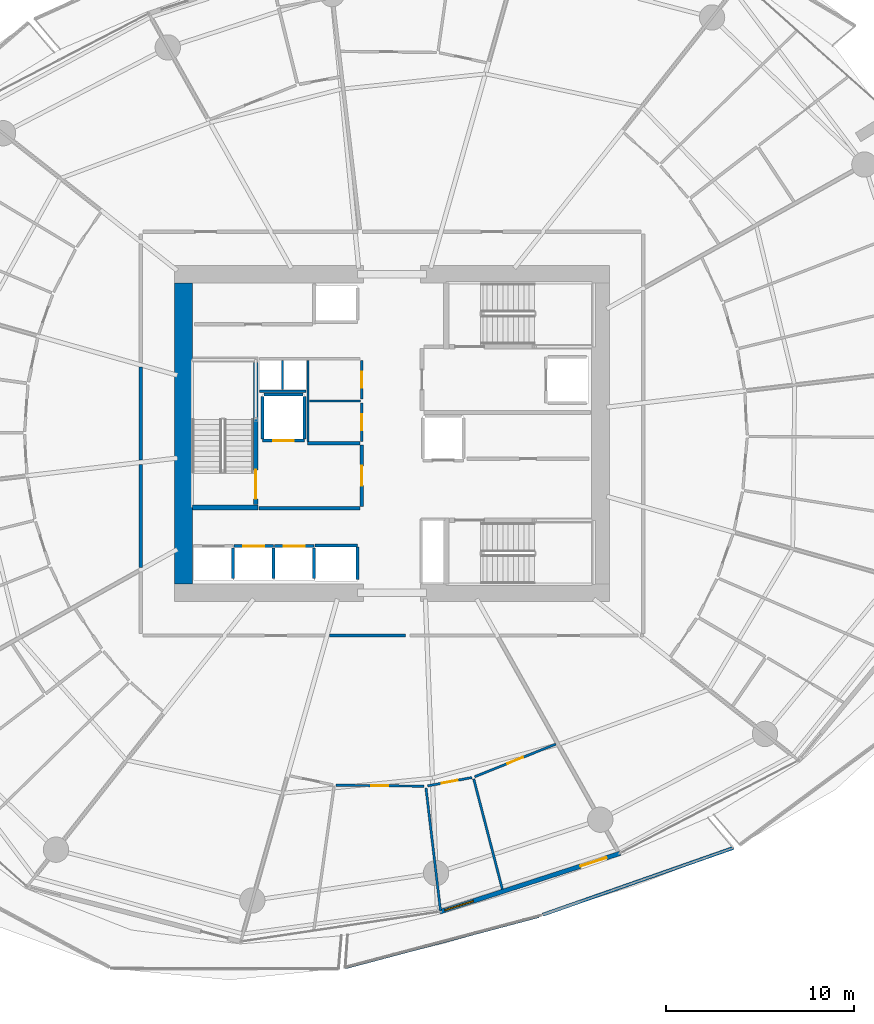
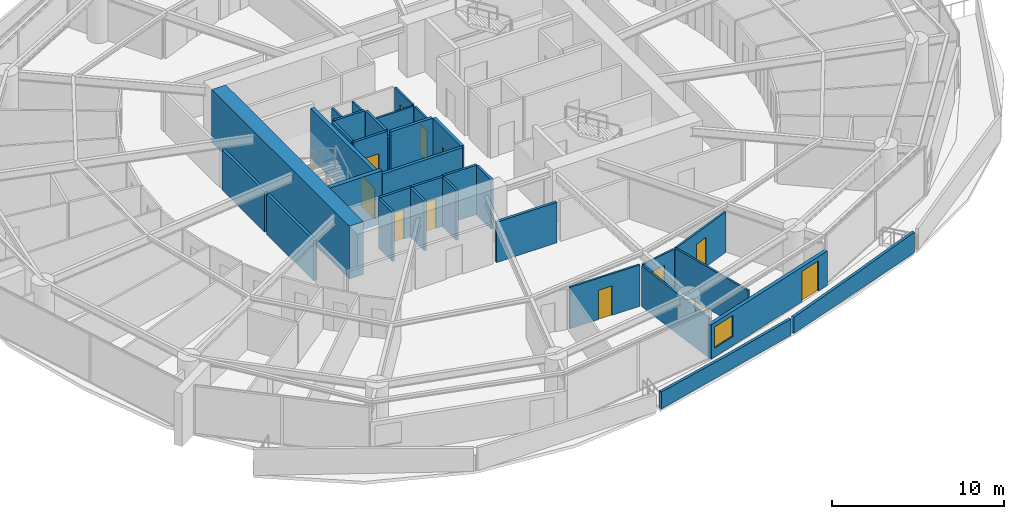
# One storey, part 20 of 31: 34 walls, 11 doors, 1 window, 12 openings.
"""IFC4 building model written with IfcOpenShell, lengths in metres."""

from ifc_helpers import new_model, si_unit, direction, frame, frame_2d, origin, place, context, subcontext, project, spatial, polyline, rectangle, outline, extrude, material, layer, layer_set, type_object, element, fill, save


model = new_model("IFC4")

# Units and contexts
model_context = context("Model", 3, precision=1e-05, world=origin(), true_north=direction((0.0, 1.0)))
body_context = subcontext(model_context, "Body", "Model", "MODEL_VIEW")
ifc_project = project(units=[si_unit("LENGTHUNIT", "METRE"), si_unit("AREAUNIT", "SQUARE_METRE"), si_unit("VOLUMEUNIT", "CUBIC_METRE"), si_unit("PLANEANGLEUNIT", "RADIAN"), si_unit("MASSUNIT", "GRAM", prefix="KILO")], contexts=[model_context])

# Site, building, storey
site_placement = place(None, origin())
site = spatial("IfcSite", under=ifc_project, at=site_placement, CompositionType="ELEMENT")
building_placement = place(site_placement, origin())
building = spatial("IfcBuilding", under=site, at=building_placement, Name="Kazma Halo Residences", CompositionType="ELEMENT")
storey_placement = place(building_placement, frame((0.0, 0.0, 60.14990234375)))
storey = spatial("IfcBuildingStorey", under=building, at=storey_placement, Name="L14", CompositionType="ELEMENT", Elevation=60.14990234375)

# Walls
ifc_material_1 = material(Name="White Concrete C50/60 Balustrade", Category="concrete")
ifc_layer_1 = layer(ifc_material_1, 0.179931640625)
ifc_layer_set_1 = layer_set([ifc_layer_1], Name="White Concrete C50/60 Balustrade")
wall_type_1 = type_object("IfcWallType", Name="WL-BAL-WAVE-180", PredefinedType="PARAPET", material=ifc_layer_set_1)
wall_1_placement = place(storey_placement, frame((45.93896484375, 13.593505859375, 0.0), z_axis=(0.0, 0.0, 1.0), x_axis=(0.966585359961, 0.256344966614, 0.0)))
element("IfcWall", 1, at=wall_1_placement, inside=storey, type_object=wall_type_1, Name="L14 white wave balustrade wall SSE.1", PredefinedType="PARAPET", context=body_context, shape_type="SweptSolid", body=[
    extrude(outline(polyline([(0.0, 0.0), (10.63427734375, 0.0), (10.634521484375, 1.148193359375), (5.3173828125, 1.127197265625), (0.0, 1.22412109375), (0.0, 0.0)])), frame((0.0, 0.08984375, 0.0), z_axis=(0.0, -1.0, 0.0), x_axis=(1.0, 0.0, 0.0)), (0.0, 0.0, 1.0), 0.179931640625),
])
wall_2_placement = place(storey_placement, frame((56.447265625, 16.39013671875, 0.0), z_axis=(0.0, 0.0, 1.0), x_axis=(0.943634553286, 0.330989168772, 0.0)))
element("IfcWall", 2, at=wall_2_placement, inside=storey, type_object=wall_type_1, Name="L14 white wave balustrade wall SSE.2", PredefinedType="PARAPET", context=body_context, shape_type="SweptSolid", body=[
    extrude(outline(polyline([(0.0, 0.0), (10.7587890625, 0.0), (10.7587890625, 1.483154296875), (5.37939453125, 1.2841796875), (0.0, 1.148193359375), (0.0, 0.0)])), frame((0.0, 0.08984375, 0.0), z_axis=(0.0, -1.0, 0.0), x_axis=(1.0, 0.0, 0.0)), (0.0, 0.0, 1.0), 0.179931640625),
])
ifc_material_2 = material(Name="Concrete C80/95", Category="concrete")
ifc_layer_2 = layer(ifc_material_2, 0.949951171875)
ifc_layer_set_2 = layer_set([ifc_layer_2], Name="Concrete C80/95")
wall_type_2 = type_object("IfcWallType", Name="WL-CORE-950", PredefinedType="SHEAR", material=ifc_layer_set_2)
wall_3_placement = place(storey_placement, frame((37.324951171875, 34.0, 0.0), z_axis=(0.0, 0.0, 1.0), x_axis=(0.0, 1.0, 0.0)))
element("IfcWall", 3, at=wall_3_placement, inside=storey, type_object=wall_type_2, Name="L14 central core shear wall W", PredefinedType="SHEAR", context=body_context, shape_type="SweptSolid", body=[
    extrude(rectangle(XDim=16.0, YDim=0.949951171875, at=frame_2d((8.0, 0.0))), origin(), (0.0, 0.0, 1.0), 3.75),
])
ifc_material_3 = material(Name="Concrete C60/75", Category="concrete")
ifc_layer_3 = layer(ifc_material_3, 0.280029296875)
ifc_layer_set_3 = layer_set([ifc_layer_3], Name="Concrete C60/75")
wall_type_3 = type_object("IfcWallType", Name="WL-CORE-ST-280", PredefinedType="SHEAR", material=ifc_layer_set_3)
wall_4_placement = place(storey_placement, frame((37.800048828125, 38.06005859375, 0.0), z_axis=(0.0, 0.0, 1.0), x_axis=(1.0, 0.0, 0.0)))
element("IfcWall", 4, at=wall_4_placement, inside=storey, type_object=wall_type_3, Name="L14 stairwell bearing wall ST01-S", PredefinedType="SHEAR", context=body_context, shape_type="SweptSolid", body=[
    extrude(rectangle(XDim=3.5, YDim=0.280029296875, at=frame_2d((1.75, 0.0))), origin(), (0.0, 0.0, 1.0), 3.75),
])
ifc_material_4 = material(Name="Acoustic Twin-Stud Gypsum")
ifc_layer_4 = layer(ifc_material_4, 0.179931640625)
ifc_layer_set_4 = layer_set([ifc_layer_4], Name="Acoustic Twin-Stud Gypsum")
wall_type_4 = type_object("IfcWallType", Name="WL-DEM-180", PredefinedType="PARTITIONING", material=ifc_layer_set_4)
wall_5_placement = place(storey_placement, frame((35.050048828125, 45.5322265625, 0.0), z_axis=(0.0, 0.0, 1.0), x_axis=(0.0, -1.0, 0.0)))
element("IfcWall", 5, at=wall_5_placement, inside=storey, type_object=wall_type_4, Name="L14 Apartment 1 inner wall 6", PredefinedType="PARTITIONING", context=body_context, shape_type="SweptSolid", body=[
    extrude(rectangle(XDim=4.94482421875, YDim=0.179931640625, at=frame_2d((2.472412109375, 0.0))), origin(), (0.0, 0.0, 1.0), 2.8671875),
])
wall_6_placement = place(storey_placement, frame((35.050048828125, 40.347412109375, 0.0), z_axis=(0.0, 0.0, 1.0), x_axis=(0.0, -1.0, 0.0)))
element("IfcWall", 6, at=wall_6_placement, inside=storey, type_object=wall_type_4, Name="L14 Apartment 1 inner wall 7", PredefinedType="PARTITIONING", context=body_context, shape_type="SweptSolid", body=[
    extrude(rectangle(XDim=5.479736328125, YDim=0.179931640625, at=frame_2d((2.73974609375, 0.0))), origin(), (0.0, 0.0, 1.0), 2.8671875),
])
wall_7_placement = place(storey_placement, frame((45.088134765625, 31.25, 0.0), z_axis=(0.0, 0.0, 1.0), x_axis=(1.0, 0.0, 0.0)))
element("IfcWall", 7, at=wall_7_placement, inside=storey, type_object=wall_type_4, Name="L14 Apartment 2 inner wall 10", PredefinedType="PARTITIONING", context=body_context, shape_type="SweptSolid", body=[
    extrude(rectangle(XDim=4.064208984375, YDim=0.179931640625, at=frame_2d((2.0322265625, 0.0))), origin(), (0.0, 0.0, 1.0), 2.8671875),
])

# Wall, openings, door, window
ifc_material_5 = material(Name="Insulated Pale-Metal Composite Wall")
ifc_layer_5 = layer(ifc_material_5, 0.239990234375)
ifc_layer_set_5 = layer_set([ifc_layer_5], Name="Insulated Pale-Metal Composite Wall")
wall_type_5 = type_object("IfcWallType", Name="WL-EXT-HOST-240", PredefinedType="SOLIDWALL", material=ifc_layer_set_5)
wall_8_placement = place(storey_placement, frame((50.9638671875, 16.54150390625, 0.0), z_axis=(0.0, 0.0, 1.0), x_axis=(0.951054679225, 0.309022648238, 0.0)))
wall_8 = element("IfcWall", 8, at=wall_8_placement, inside=storey, type_object=wall_type_5, Name="L14 exterior terrace-access wall B12", PredefinedType="SOLIDWALL", context=body_context, shape_type="SweptSolid", body=[
    extrude(rectangle(XDim=10.0966796875, YDim=0.239990234375, at=frame_2d((5.04833984375, 0.0))), origin(), (0.0, 0.0, 1.0), 2.4501953125),
])
opening_1_placement = place(wall_8_placement, frame((7.876708984375, 0.0, 0.0)))
opening_1 = element("IfcOpeningElement", 9, at=opening_1_placement, cuts=wall_8, Name="Opening DTR-1600", PredefinedType="OPENING", context=body_context, shape_type="SweptSolid", body=[
    extrude(rectangle(XDim=1.449951171875, YDim=2.14990234375, at=frame_2d((0.72509765625, 1.074951171875))), frame((0.0, 0.1298828125, 0.0), z_axis=(0.0, -1.0, 0.0), x_axis=(1.0, 0.0, 0.0)), (0.0, 0.0, 1.0), 0.260009765625),
])
opening_2_placement = place(wall_8_placement, frame((0.280029296875, 0.0, 0.64990234375)))
opening_2 = element("IfcOpeningElement", 10, at=opening_2_placement, cuts=wall_8, Name="Opening W-1800", PredefinedType="OPENING", context=body_context, shape_type="SweptSolid", body=[
    extrude(rectangle(XDim=1.60009765625, YDim=1.5, at=frame_2d((0.800048828125, 0.75))), frame((0.0, 0.1298828125, 0.0), z_axis=(0.0, -1.0, 0.0), x_axis=(1.0, 0.0, 0.0)), (0.0, 0.0, 1.0), 0.260009765625),
])
ifc_material_6 = material(Name="Aluminium AW-6063 T6 Double-Glazed Terrace Door", Category="aluminium")
door_type_1 = type_object("IfcDoorType", Name="DR-EXT-TERR-1600", OperationType="NOTDEFINED", PredefinedType="DOOR", material=ifc_material_6)
door_1_placement = place(opening_1_placement, origin())
door_1 = element("IfcDoor", 11, at=door_1_placement, inside=storey, type_object=door_type_1, Name="L14 B12 balcony terrace door", OperationType="DOUBLE_DOOR_SLIDING", OverallHeight=2.14990234375, OverallWidth=1.449951171875, PredefinedType="DOOR", context=body_context, shape_type="SweptSolid", body=[
    extrude(rectangle(XDim=1.449951171875, YDim=2.14990234375, at=frame_2d((0.72509765625, 1.074951171875))), frame((0.0, 0.02490234375, 0.0), z_axis=(0.0, -1.0, 0.0), x_axis=(1.0, 0.0, 0.0)), (0.0, 0.0, 1.0), 0.050048828125),
])
fill(opening_1, door_1)
ifc_material_7 = material(Name="Clear Triple-Silver Low-E Glass in Aluminium AW-6063 T6 Frame", Category="aluminium")
window_type = type_object("IfcWindowType", Name="WIN-RES-1800", PartitioningType="DOUBLE_PANEL_VERTICAL", PredefinedType="WINDOW", material=ifc_material_7)
window_placement = place(opening_2_placement, origin())
window = element("IfcWindow", 12, at=window_placement, inside=storey, type_object=window_type, Name="L14 B12 apartment window", OverallHeight=1.5, OverallWidth=1.60009765625, PartitioningType="SINGLE_PANEL", PredefinedType="WINDOW", context=body_context, shape_type="SweptSolid", body=[
    extrude(rectangle(XDim=1.60009765625, YDim=1.5, at=frame_2d((0.800048828125, 0.75))), frame((0.0, 0.030029296875, 0.0), z_axis=(0.0, -1.0, 0.0), x_axis=(1.0, 0.0, 0.0)), (0.0, 0.0, 1.0), 0.06005859375),
])
fill(opening_2, window)

# Wall
ifc_material_8 = material(Name="Fire-Rated Blockwork Masonry", Category="masonry")
ifc_layer_6 = layer(ifc_material_8, 0.199951171875)
ifc_layer_set_6 = layer_set([ifc_layer_6], Name="Fire-Rated Blockwork Masonry")
wall_type_6 = type_object("IfcWallType", Name="WL-FLB-200", PredefinedType="PARTITIONING", material=ifc_layer_set_6)
wall_9_placement = place(storey_placement, frame((39.97509765625, 34.294921875, 0.0), z_axis=(0.0, 0.0, 1.0), x_axis=(0.0, 1.0, 0.0)))
element("IfcWall", 13, at=wall_9_placement, inside=storey, type_object=wall_type_6, Name="L14 lift shaft PL-01 side wall E", PredefinedType="PARTITIONING", context=body_context, shape_type="SweptSolid", body=[
    extrude(rectangle(XDim=1.610107421875, YDim=0.159912109375, at=frame_2d((0.80517578125, 0.0))), origin(), (0.0, 0.0, 1.0), 3.5),
])

# Wall, opening, door
wall_10_placement = place(storey_placement, frame((40.014892578125, 36.0048828125, 0.0), z_axis=(0.0, 0.0, 1.0), x_axis=(1.0, 0.0, 0.0)))
wall_10 = element("IfcWall", 14, at=wall_10_placement, inside=storey, type_object=wall_type_6, Name="L14 lift shaft PL-02 front wall", PredefinedType="PARTITIONING", context=body_context, shape_type="SweptSolid", body=[
    extrude(rectangle(XDim=2.110107421875, YDim=0.159912109375, at=frame_2d((1.05517578125, 0.0))), origin(), (0.0, 0.0, 1.0), 3.5),
])
opening_3_placement = place(wall_10_placement, frame((0.5048828125, 0.0, 0.0)))
opening_3 = element("IfcOpeningElement", 15, at=opening_3_placement, cuts=wall_10, Name="Opening LD-PL-02", PredefinedType="OPENING", context=body_context, shape_type="SweptSolid", body=[
    extrude(rectangle(XDim=1.10009765625, YDim=2.10009765625, at=frame_2d((0.550048828125, 1.050048828125))), frame((0.0, 0.08984375, 0.0), z_axis=(0.0, -1.0, 0.0), x_axis=(1.0, 0.0, 0.0)), (0.0, 0.0, 1.0), 0.179931640625),
])
ifc_material_9 = material(Name="Stainless Steel Fire-Rated", Category="steel")
door_type_2 = type_object("IfcDoorType", Name="DR-LIFT-SLD-1100", OperationType="DOUBLE_DOOR_SLIDING", PredefinedType="DOOR", material=ifc_material_9)
door_2_placement = place(opening_3_placement, origin())
door_2 = element("IfcDoor", 16, at=door_2_placement, inside=storey, type_object=door_type_2, Name="L14 lift PL-02 sliding landing door", OperationType="DOUBLE_DOOR_SLIDING", OverallHeight=2.10009765625, OverallWidth=1.10009765625, PredefinedType="DOOR", context=body_context, shape_type="SweptSolid", body=[
    extrude(rectangle(XDim=1.10009765625, YDim=2.10009765625, at=frame_2d((0.550048828125, 1.050048828125))), frame((0.0, 0.02490234375, 0.0), z_axis=(0.0, -1.0, 0.0), x_axis=(1.0, 0.0, 0.0)), (0.0, 0.0, 1.0), 0.050048828125),
])
fill(opening_3, door_2)

# Wall
wall_11_placement = place(storey_placement, frame((42.125, 34.294921875, 0.0), z_axis=(0.0, 0.0, 1.0), x_axis=(0.0, 1.0, 0.0)))
element("IfcWall", 17, at=wall_11_placement, inside=storey, type_object=wall_type_6, Name="L14 lift shaft PL-02 side wall E", PredefinedType="PARTITIONING", context=body_context, shape_type="SweptSolid", body=[
    extrude(rectangle(XDim=1.610107421875, YDim=0.159912109375, at=frame_2d((0.80517578125, 0.0))), origin(), (0.0, 0.0, 1.0), 3.5),
])

# Wall, opening, door
wall_12_placement = place(storey_placement, frame((42.1650390625, 36.0048828125, 0.0), z_axis=(0.0, 0.0, 1.0), x_axis=(1.0, 0.0, 0.0)))
wall_12 = element("IfcWall", 18, at=wall_12_placement, inside=storey, type_object=wall_type_6, Name="L14 lift shaft PL-03 front wall", PredefinedType="PARTITIONING", context=body_context, shape_type="SweptSolid", body=[
    extrude(rectangle(XDim=2.10986328125, YDim=0.159912109375, at=frame_2d((1.054931640625, 0.0))), origin(), (0.0, 0.0, 1.0), 3.5),
])
opening_4_placement = place(wall_12_placement, frame((0.5048828125, 0.0, 0.0)))
opening_4 = element("IfcOpeningElement", 19, at=opening_4_placement, cuts=wall_12, Name="Opening LD-PL-03", PredefinedType="OPENING", context=body_context, shape_type="SweptSolid", body=[
    extrude(rectangle(XDim=1.10009765625, YDim=2.10009765625, at=frame_2d((0.550048828125, 1.050048828125))), frame((0.0, 0.08984375, 0.0), z_axis=(0.0, -1.0, 0.0), x_axis=(1.0, 0.0, 0.0)), (0.0, 0.0, 1.0), 0.179931640625),
])
door_3_placement = place(opening_4_placement, origin())
door_3 = element("IfcDoor", 20, at=door_3_placement, inside=storey, type_object=door_type_2, Name="L14 lift PL-03 sliding landing door", OperationType="DOUBLE_DOOR_SLIDING", OverallHeight=2.10009765625, OverallWidth=1.10009765625, PredefinedType="DOOR", context=body_context, shape_type="SweptSolid", body=[
    extrude(rectangle(XDim=1.10009765625, YDim=2.10009765625, at=frame_2d((0.550048828125, 1.050048828125))), frame((0.0, 0.02490234375, 0.0), z_axis=(0.0, -1.0, 0.0), x_axis=(1.0, 0.0, 0.0)), (0.0, 0.0, 1.0), 0.050048828125),
])
fill(opening_4, door_3)

# Walls
wall_13_placement = place(storey_placement, frame((44.27490234375, 34.294921875, 0.0), z_axis=(0.0, 0.0, 1.0), x_axis=(0.0, 1.0, 0.0)))
element("IfcWall", 21, at=wall_13_placement, inside=storey, type_object=wall_type_6, Name="L14 lift shaft PL-03 side wall E", PredefinedType="PARTITIONING", context=body_context, shape_type="SweptSolid", body=[
    extrude(rectangle(XDim=1.610107421875, YDim=0.159912109375, at=frame_2d((0.80517578125, 0.0))), origin(), (0.0, 0.0, 1.0), 3.5),
])
wall_14_placement = place(storey_placement, frame((44.320068359375, 36.054931640625, 0.0), z_axis=(0.0, 0.0, 1.0), x_axis=(1.0, 0.0, 0.0)))
element("IfcWall", 22, at=wall_14_placement, inside=storey, type_object=wall_type_6, Name="L14 lift shaft PX-02 front wall", PredefinedType="PARTITIONING", context=body_context, shape_type="SweptSolid", body=[
    extrude(rectangle(XDim=2.260009765625, YDim=0.159912109375, at=frame_2d((1.1298828125, 0.0))), origin(), (0.0, 0.0, 1.0), 3.5),
])
wall_15_placement = place(storey_placement, frame((46.580078125, 34.2451171875, 0.0), z_axis=(0.0, 0.0, 1.0), x_axis=(0.0, 1.0, 0.0)))
element("IfcWall", 23, at=wall_15_placement, inside=storey, type_object=wall_type_6, Name="L14 lift shaft PX-02 side wall E", PredefinedType="PARTITIONING", context=body_context, shape_type="SweptSolid", body=[
    extrude(rectangle(XDim=1.7099609375, YDim=0.159912109375, at=frame_2d((0.85498046875, 0.0))), origin(), (0.0, 0.0, 1.0), 3.5),
])

# Wall, opening, door
wall_16_placement = place(storey_placement, frame((43.780029296875, 41.6201171875, 0.0), z_axis=(0.0, 0.0, 1.0), x_axis=(-1.0, 0.0, 0.0)))
wall_16 = element("IfcWall", 24, at=wall_16_placement, inside=storey, type_object=wall_type_6, Name="L14 lift shaft FL-01 front wall", PredefinedType="PARTITIONING", context=body_context, shape_type="SweptSolid", body=[
    extrude(rectangle(XDim=2.260009765625, YDim=0.159912109375, at=frame_2d((1.1298828125, 0.0))), origin(), (0.0, 0.0, 1.0), 3.5),
])
opening_5_placement = place(wall_16_placement, frame((0.580078125, 0.0, 0.0)))
opening_5 = element("IfcOpeningElement", 25, at=opening_5_placement, cuts=wall_16, Name="Opening LD-FL-01", PredefinedType="OPENING", context=body_context, shape_type="SweptSolid", body=[
    extrude(rectangle(XDim=1.10009765625, YDim=2.10009765625, at=frame_2d((0.550048828125, 1.050048828125))), frame((0.0, 0.08984375, 0.0), z_axis=(0.0, -1.0, 0.0), x_axis=(1.0, 0.0, 0.0)), (0.0, 0.0, 1.0), 0.179931640625),
])
door_4_placement = place(opening_5_placement, origin())
door_4 = element("IfcDoor", 26, at=door_4_placement, inside=storey, type_object=door_type_2, Name="L14 lift FL-01 sliding landing door", OperationType="DOUBLE_DOOR_SLIDING", OverallHeight=2.10009765625, OverallWidth=1.10009765625, PredefinedType="DOOR", context=body_context, shape_type="SweptSolid", body=[
    extrude(rectangle(XDim=1.10009765625, YDim=2.10009765625, at=frame_2d((0.550048828125, 1.050048828125))), frame((0.0, 0.02490234375, 0.0), z_axis=(0.0, -1.0, 0.0), x_axis=(1.0, 0.0, 0.0)), (0.0, 0.0, 1.0), 0.050048828125),
])
fill(opening_5, door_4)

# Walls
for number, where, z_axis, x_axis, name in (
    (27, (43.780029296875, 41.719970703125, 0.0), (0.0, 0.0, 1.0), (0.0, 1.0, 0.0), "L14 lift shaft FL-01 side wall E"),
    (28, (41.52001953125, 41.719970703125, 0.0), (0.0, 0.0, 1.0), (0.0, 1.0, 0.0), "L14 lift shaft FL-01 side wall W"),
):
    element("IfcWall", number, at=place(storey_placement, frame(where, z_axis=z_axis, x_axis=x_axis)), inside=storey, type_object=wall_type_6, Name=name, PredefinedType="PARTITIONING", context=body_context, shape_type="SweptSolid", body=[
        extrude(rectangle(XDim=2.260009765625, YDim=0.159912109375, at=frame_2d((1.1298828125, 0.0))), origin(), (0.0, 0.0, 1.0), 3.5),
    ])
wall_17_placement = place(storey_placement, frame((41.6201171875, 44.080078125, 0.0), z_axis=(0.0, 0.0, 1.0), x_axis=(1.0, 0.0, 0.0)))
element("IfcWall", 29, at=wall_17_placement, inside=storey, type_object=wall_type_6, Name="L14 lift shaft FL-01 side wall N", PredefinedType="PARTITIONING", context=body_context, shape_type="SweptSolid", body=[
    extrude(rectangle(XDim=2.059814453125, YDim=0.159912109375, at=frame_2d((1.02978515625, 0.0))), origin(), (0.0, 0.0, 1.0), 3.5),
])
wall_18_placement = place(storey_placement, frame((41.35009765625, 38.02001953125, 0.0), z_axis=(0.0, 0.0, 1.0), x_axis=(1.0, 0.0, 0.0)))
element("IfcWall", 30, at=wall_18_placement, inside=storey, type_object=wall_type_6, Name="L14 west firefighting lobby south smoke wall", PredefinedType="PARTITIONING", context=body_context, shape_type="SweptSolid", body=[
    extrude(rectangle(XDim=5.369873046875, YDim=0.199951171875, at=frame_2d((2.68505859375, 0.0))), origin(), (0.0, 0.0, 1.0), 3.5),
])
wall_19_placement = place(storey_placement, frame((43.919921875, 41.47998046875, 0.0), z_axis=(0.0, 0.0, 1.0), x_axis=(1.0, 0.0, 0.0)))
element("IfcWall", 31, at=wall_19_placement, inside=storey, type_object=wall_type_6, Name="L14 west firefighting lobby north smoke wall", PredefinedType="PARTITIONING", context=body_context, shape_type="SweptSolid", body=[
    extrude(rectangle(XDim=2.800048828125, YDim=0.199951171875, at=frame_2d((1.39990234375, 0.0))), origin(), (0.0, 0.0, 1.0), 3.5),
])

# Wall, opening, door
wall_20_placement = place(storey_placement, frame((46.820068359375, 38.1201171875, 0.0), z_axis=(0.0, 0.0, 1.0), x_axis=(0.0, 1.0, 0.0)))
wall_20 = element("IfcWall", 32, at=wall_20_placement, inside=storey, type_object=wall_type_6, Name="L14 west firefighting lobby smoke wall", PredefinedType="PARTITIONING", context=body_context, shape_type="SweptSolid", body=[
    extrude(rectangle(XDim=3.259765625, YDim=0.199951171875, at=frame_2d((1.6298828125, 0.0))), origin(), (0.0, 0.0, 1.0), 3.5),
])
opening_6_placement = place(wall_20_placement, frame((1.10498046875, 0.0, 0.0)))
opening_6 = element("IfcOpeningElement", 33, at=opening_6_placement, cuts=wall_20, Name="Opening D-FLW", PredefinedType="OPENING", context=body_context, shape_type="SweptSolid", body=[
    extrude(rectangle(XDim=1.050048828125, YDim=2.10009765625, at=frame_2d((0.52490234375, 1.050048828125))), frame((0.0, 0.10986328125, 0.0), z_axis=(0.0, -1.0, 0.0), x_axis=(1.0, 0.0, 0.0)), (0.0, 0.0, 1.0), 0.219970703125),
])
ifc_material_10 = material(Name="Fire-Rated Steel Leaf", Category="steel")
door_type_3 = type_object("IfcDoorType", Name="DR-FD90-1050", OperationType="NOTDEFINED", PredefinedType="DOOR", material=ifc_material_10)
door_5_placement = place(opening_6_placement, origin())
door_5 = element("IfcDoor", 34, at=door_5_placement, inside=storey, type_object=door_type_3, Name="L14 west firefighting lobby smoke door", OperationType="SINGLE_SWING_LEFT", OverallHeight=2.10009765625, OverallWidth=1.050048828125, PredefinedType="DOOR", context=body_context, shape_type="SweptSolid", body=[
    extrude(rectangle(XDim=1.050048828125, YDim=2.10009765625, at=frame_2d((0.52490234375, 1.050048828125))), frame((0.0, 0.02490234375, 0.0), z_axis=(0.0, -1.0, 0.0), x_axis=(1.0, 0.0, 0.0)), (0.0, 0.0, 1.0), 0.050048828125),
])
fill(opening_6, door_5)

# Walls
ifc_material_11 = material(Name="Gypsum Plasterboard Partition")
ifc_layer_7 = layer(ifc_material_11, 0.125)
ifc_layer_set_7 = layer_set([ifc_layer_7], Name="Gypsum Plasterboard Partition")
wall_type_7 = type_object("IfcWallType", Name="WL-PART-125", PredefinedType="PARTITIONING", material=ifc_layer_set_7)
wall_21_placement = place(storey_placement, frame((41.360107421875, 44.260009765625, 0.0), z_axis=(0.0, 0.0, 1.0), x_axis=(1.0, 0.0, 0.0)))
element("IfcWall", 35, at=wall_21_placement, inside=storey, type_object=wall_type_7, Name="L14 core riser south wall", PredefinedType="PARTITIONING", context=body_context, shape_type="SweptSolid", body=[
    extrude(rectangle(XDim=2.5, YDim=0.125, at=frame_2d((1.25, 0.0))), origin(), (0.0, 0.0, 1.0), 2.940185546875),
])
wall_22_placement = place(storey_placement, frame((42.60009765625, 44.35009765625, 0.0), z_axis=(0.0, 0.0, 1.0), x_axis=(0.0, 1.0, 0.0)))
element("IfcWall", 36, at=wall_22_placement, inside=storey, type_object=wall_type_7, Name="L14 core riser divider wall", PredefinedType="PARTITIONING", context=body_context, shape_type="SweptSolid", body=[
    extrude(rectangle(XDim=1.5498046875, YDim=0.125, at=frame_2d((0.77490234375, 0.0))), origin(), (0.0, 0.0, 1.0), 2.940185546875),
])
wall_23_placement = place(storey_placement, frame((43.949951171875, 41.580078125, 0.0), z_axis=(0.0, 0.0, 1.0), x_axis=(0.0, 1.0, 0.0)))
element("IfcWall", 37, at=wall_23_placement, inside=storey, type_object=wall_type_7, Name="L14 core service west wall", PredefinedType="PARTITIONING", context=body_context, shape_type="SweptSolid", body=[
    extrude(rectangle(XDim=4.31982421875, YDim=0.125, at=frame_2d((2.159912109375, 0.0))), origin(), (0.0, 0.0, 1.0), 2.940185546875),
])
wall_24_placement = place(storey_placement, frame((44.030029296875, 43.72998046875, 0.0), z_axis=(0.0, 0.0, 1.0), x_axis=(1.0, 0.0, 0.0)))
element("IfcWall", 38, at=wall_24_placement, inside=storey, type_object=wall_type_7, Name="L14 switch/IDF divider", PredefinedType="PARTITIONING", context=body_context, shape_type="SweptSolid", body=[
    extrude(rectangle(XDim=2.7099609375, YDim=0.125, at=frame_2d((1.35498046875, 0.0))), origin(), (0.0, 0.0, 1.0), 2.940185546875),
])

# Wall, opening, door
wall_25_placement = place(storey_placement, frame((46.820068359375, 41.580078125, 0.0), z_axis=(0.0, 0.0, 1.0), x_axis=(0.0, 1.0, 0.0)))
wall_25 = element("IfcWall", 39, at=wall_25_placement, inside=storey, type_object=wall_type_7, Name="L14 electrical switch room east wall", PredefinedType="PARTITIONING", context=body_context, shape_type="SweptSolid", body=[
    extrude(rectangle(XDim=2.0498046875, YDim=0.125, at=frame_2d((1.02490234375, 0.0))), origin(), (0.0, 0.0, 1.0), 2.940185546875),
])
opening_7_placement = place(wall_25_placement, frame((0.60009765625, 0.0, 0.0)))
opening_7 = element("IfcOpeningElement", 40, at=opening_7_placement, cuts=wall_25, Name="Opening DS-850", PredefinedType="OPENING", context=body_context, shape_type="SweptSolid", body=[
    extrude(rectangle(XDim=0.85009765625, YDim=2.06005859375, at=frame_2d((0.425048828125, 1.030029296875))), frame((0.0, 0.072509765625, 0.0), z_axis=(0.0, -1.0, 0.0), x_axis=(1.0, 0.0, 0.0)), (0.0, 0.0, 1.0), 0.14501953125),
])
ifc_material_12 = material(Name="Painted Steel Access Leaf", Category="steel")
door_type_4 = type_object("IfcDoorType", Name="DR-SVC-850", OperationType="NOTDEFINED", PredefinedType="DOOR", material=ifc_material_12)
door_6_placement = place(opening_7_placement, origin())
door_6 = element("IfcDoor", 41, at=door_6_placement, inside=storey, type_object=door_type_4, Name="L14 electrical switch room door", OperationType="SINGLE_SWING_LEFT", OverallHeight=2.06005859375, OverallWidth=0.85009765625, PredefinedType="DOOR", context=body_context, shape_type="SweptSolid", body=[
    extrude(rectangle(XDim=0.85009765625, YDim=2.06005859375, at=frame_2d((0.425048828125, 1.030029296875))), frame((0.0, 0.02490234375, 0.0), z_axis=(0.0, -1.0, 0.0), x_axis=(1.0, 0.0, 0.0)), (0.0, 0.0, 1.0), 0.050048828125),
])
fill(opening_7, door_6)

wall_26_placement = place(storey_placement, frame((46.820068359375, 43.830078125, 0.0), z_axis=(0.0, 0.0, 1.0), x_axis=(0.0, 1.0, 0.0)))
wall_26 = element("IfcWall", 42, at=wall_26_placement, inside=storey, type_object=wall_type_7, Name="L14 telecom IDF room east wall", PredefinedType="PARTITIONING", context=body_context, shape_type="SweptSolid", body=[
    extrude(rectangle(XDim=2.0498046875, YDim=0.125, at=frame_2d((1.02490234375, 0.0))), origin(), (0.0, 0.0, 1.0), 2.940185546875),
])
opening_8_placement = place(wall_26_placement, frame((0.60009765625, 0.0, 0.0)))
opening_8 = element("IfcOpeningElement", 43, at=opening_8_placement, cuts=wall_26, Name="Opening DS-850", PredefinedType="OPENING", context=body_context, shape_type="SweptSolid", body=[
    extrude(rectangle(XDim=0.85009765625, YDim=2.06005859375, at=frame_2d((0.425048828125, 1.030029296875))), frame((0.0, 0.072509765625, 0.0), z_axis=(0.0, -1.0, 0.0), x_axis=(1.0, 0.0, 0.0)), (0.0, 0.0, 1.0), 0.14501953125),
])
door_7_placement = place(opening_8_placement, origin())
door_7 = element("IfcDoor", 44, at=door_7_placement, inside=storey, type_object=door_type_4, Name="L14 telecom IDF room door", OperationType="SINGLE_SWING_RIGHT", OverallHeight=2.06005859375, OverallWidth=0.85009765625, PredefinedType="DOOR", context=body_context, shape_type="SweptSolid", body=[
    extrude(rectangle(XDim=0.85009765625, YDim=2.06005859375, at=frame_2d((0.425048828125, 1.030029296875))), frame((0.0, 0.02490234375, 0.0), z_axis=(0.0, -1.0, 0.0), x_axis=(1.0, 0.0, 0.0)), (0.0, 0.0, 1.0), 0.050048828125),
])
fill(opening_8, door_7)

wall_27_placement = place(storey_placement, frame((45.431640625, 23.28564453125, 0.0), z_axis=(0.0, 0.0, 1.0), x_axis=(0.999935022773, -0.011399571577, 0.0)))
wall_27 = element("IfcWall", 45, at=wall_27_placement, inside=storey, type_object=wall_type_7, Name="L14 Apartment 2 West Master Bedroom hall wall", PredefinedType="PARTITIONING", context=body_context, shape_type="SweptSolid", body=[
    extrude(rectangle(XDim=4.690185546875, YDim=0.125, at=frame_2d((2.34521484375, 0.0))), origin(), (0.0, 0.0, 1.0), 2.940185546875),
])
opening_9_placement = place(wall_27_placement, frame((1.89501953125, 0.0, 0.0)))
opening_9 = element("IfcOpeningElement", 46, at=opening_9_placement, cuts=wall_27, Name="Opening DI-950", PredefinedType="OPENING", context=body_context, shape_type="SweptSolid", body=[
    extrude(rectangle(XDim=0.89990234375, YDim=2.080078125, at=frame_2d((0.449951171875, 1.0400390625))), frame((0.0, 0.072509765625, 0.0), z_axis=(0.0, -1.0, 0.0), x_axis=(1.0, 0.0, 0.0)), (0.0, 0.0, 1.0), 0.14501953125),
])
ifc_material_13 = material(Name="Timber Veneer Flush Leaf", Category="wood")
door_type_5 = type_object("IfcDoorType", Name="DR-INT-950", OperationType="NOTDEFINED", PredefinedType="DOOR", material=ifc_material_13)
door_8_placement = place(opening_9_placement, origin())
door_8 = element("IfcDoor", 47, at=door_8_placement, inside=storey, type_object=door_type_5, Name="L14 Apartment 2 West Master Bedroom door", OperationType="SINGLE_SWING_RIGHT", OverallHeight=2.080078125, OverallWidth=0.89990234375, PredefinedType="DOOR", context=body_context, shape_type="SweptSolid", body=[
    extrude(rectangle(XDim=0.89990234375, YDim=2.080078125, at=frame_2d((0.449951171875, 1.0400390625))), frame((0.0, 0.02490234375, 0.0), z_axis=(0.0, -1.0, 0.0), x_axis=(1.0, 0.0, 0.0)), (0.0, 0.0, 1.0), 0.050048828125),
])
fill(opening_9, door_8)

# Walls
wall_28_placement = place(storey_placement, frame((50.2333984375, 23.131591796875, 0.0), z_axis=(0.0, 0.0, 1.0), x_axis=(0.117489829597, -0.993074085827, 0.0)))
element("IfcWall", 48, at=wall_28_placement, inside=storey, type_object=wall_type_7, Name="L14 Apartment 2 radial partition 11", PredefinedType="PARTITIONING", context=body_context, shape_type="SweptSolid", body=[
    extrude(rectangle(XDim=6.595458984375, YDim=0.125, at=frame_2d((3.2978515625, 0.0))), origin(), (0.0, 0.0, 1.0), 2.8671875),
])
wall_29_placement = place(storey_placement, frame((52.773193359375, 23.61962890625, 0.0), z_axis=(0.0, 0.0, 1.0), x_axis=(0.25132433645, -0.967902927936, 0.0)))
element("IfcWall", 49, at=wall_29_placement, inside=storey, type_object=wall_type_7, Name="L14 Apartment 2 mid-bay wall 11", PredefinedType="PARTITIONING", context=body_context, shape_type="SweptSolid", body=[
    extrude(rectangle(XDim=6.058837890625, YDim=0.125, at=frame_2d((3.029296875, 0.0))), origin(), (0.0, 0.0, 1.0), 2.940185546875),
])

# Wall, opening, door
wall_30_placement = place(storey_placement, frame((50.31982421875, 23.24951171875, 0.0), z_axis=(0.0, 0.0, 1.0), x_axis=(0.982768095507, 0.18484282635, 0.0)))
wall_30 = element("IfcWall", 50, at=wall_30_placement, inside=storey, type_object=wall_type_7, Name="L14 Apartment 2 North Private Study hall wall", PredefinedType="PARTITIONING", context=body_context, shape_type="SweptSolid", body=[
    extrude(rectangle(XDim=2.393310546875, YDim=0.125, at=frame_2d((1.19677734375, 0.0))), origin(), (0.0, 0.0, 1.0), 2.8671875),
])
opening_10_placement = place(wall_30_placement, frame((0.771728515625, 0.0, 0.0)))
opening_10 = element("IfcOpeningElement", 51, at=opening_10_placement, cuts=wall_30, Name="Opening DB-900", PredefinedType="OPENING", context=body_context, shape_type="SweptSolid", body=[
    extrude(rectangle(XDim=0.85009765625, YDim=2.06005859375, at=frame_2d((0.425048828125, 1.030029296875))), frame((0.0, 0.072509765625, 0.0), z_axis=(0.0, -1.0, 0.0), x_axis=(1.0, 0.0, 0.0)), (0.0, 0.0, 1.0), 0.14501953125),
])
ifc_material_14 = material(Name="Moisture-Sealed Timber Leaf", Category="wood")
door_type_6 = type_object("IfcDoorType", Name="DR-BTH-900", OperationType="NOTDEFINED", PredefinedType="DOOR", material=ifc_material_14)
door_9_placement = place(opening_10_placement, origin())
door_9 = element("IfcDoor", 52, at=door_9_placement, inside=storey, type_object=door_type_6, Name="L14 Apartment 2 North Private Study door", OperationType="SINGLE_SWING_RIGHT", OverallHeight=2.06005859375, OverallWidth=0.85009765625, PredefinedType="DOOR", context=body_context, shape_type="SweptSolid", body=[
    extrude(rectangle(XDim=0.85009765625, YDim=2.06005859375, at=frame_2d((0.425048828125, 1.030029296875))), frame((0.0, 0.02490234375, 0.0), z_axis=(0.0, -1.0, 0.0), x_axis=(1.0, 0.0, 0.0)), (0.0, 0.0, 1.0), 0.050048828125),
])
fill(opening_10, door_9)

wall_31_placement = place(storey_placement, frame((52.82470703125, 23.736572265625, 0.0), z_axis=(0.0, 0.0, 1.0), x_axis=(0.927816686836, 0.373036453484, 0.0)))
wall_31 = element("IfcWall", 53, at=wall_31_placement, inside=storey, type_object=wall_type_7, Name="L14 Apartment 2 South Bedroom hall wall", PredefinedType="PARTITIONING", context=body_context, shape_type="SweptSolid", body=[
    extrude(rectangle(XDim=4.6533203125, YDim=0.125, at=frame_2d((2.32666015625, 0.0))), origin(), (0.0, 0.0, 1.0), 2.8671875),
])
opening_11_placement = place(wall_31_placement, frame((1.876708984375, 0.0, 0.0)))
opening_11 = element("IfcOpeningElement", 54, at=opening_11_placement, cuts=wall_31, Name="Opening DI-950", PredefinedType="OPENING", context=body_context, shape_type="SweptSolid", body=[
    extrude(rectangle(XDim=0.89990234375, YDim=2.080078125, at=frame_2d((0.449951171875, 1.0400390625))), frame((0.0, 0.072509765625, 0.0), z_axis=(0.0, -1.0, 0.0), x_axis=(1.0, 0.0, 0.0)), (0.0, 0.0, 1.0), 0.14501953125),
])
door_10_placement = place(opening_11_placement, origin())
door_10 = element("IfcDoor", 55, at=door_10_placement, inside=storey, type_object=door_type_5, Name="L14 Apartment 2 South Bedroom door", OperationType="SINGLE_SWING_LEFT", OverallHeight=2.080078125, OverallWidth=0.89990234375, PredefinedType="DOOR", context=body_context, shape_type="SweptSolid", body=[
    extrude(rectangle(XDim=0.89990234375, YDim=2.080078125, at=frame_2d((0.449951171875, 1.0400390625))), frame((0.0, 0.02490234375, 0.0), z_axis=(0.0, -1.0, 0.0), x_axis=(1.0, 0.0, 0.0)), (0.0, 0.0, 1.0), 0.050048828125),
])
fill(opening_11, door_10)

ifc_material_15 = material(Name="Concrete C50/60", Category="concrete")
ifc_layer_8 = layer(ifc_material_15, 0.25)
ifc_layer_set_8 = layer_set([ifc_layer_8], Name="Concrete C50/60")
wall_type_8 = type_object("IfcWallType", Name="WL-SHF-250", PredefinedType="SOLIDWALL", material=ifc_layer_set_8)
wall_32_placement = place(storey_placement, frame((41.179931640625, 38.219970703125, 0.0), z_axis=(0.0, 0.0, 1.0), x_axis=(0.0, 1.0, 0.0)))
wall_32 = element("IfcWall", 56, at=wall_32_placement, inside=storey, type_object=wall_type_8, Name="L14 exit stair ST-01 enclosure wall", PredefinedType="SOLIDWALL", context=body_context, shape_type="SweptSolid", body=[
    extrude(rectangle(XDim=7.56005859375, YDim=0.25, at=frame_2d((3.780029296875, 0.0))), origin(), (0.0, 0.0, 1.0), 3.5),
])
opening_12_placement = place(wall_32_placement, frame((0.300048828125, 0.0, 0.0)))
opening_12 = element("IfcOpeningElement", 57, at=opening_12_placement, cuts=wall_32, Name="Opening D-ST1", PredefinedType="OPENING", context=body_context, shape_type="SweptSolid", body=[
    extrude(rectangle(XDim=1.550048828125, YDim=2.14990234375, at=frame_2d((0.77490234375, 1.074951171875))), frame((0.0, 0.135009765625, 0.0), z_axis=(0.0, -1.0, 0.0), x_axis=(1.0, 0.0, 0.0)), (0.0, 0.0, 1.0), 0.27001953125),
])
ifc_material_16 = material(Name="Fire-Rated Double Steel Leaf", Category="steel")
door_type_7 = type_object("IfcDoorType", Name="DR-FD90-1550", OperationType="NOTDEFINED", PredefinedType="DOOR", material=ifc_material_16)
door_11_placement = place(opening_12_placement, origin())
door_11 = element("IfcDoor", 58, at=door_11_placement, inside=storey, type_object=door_type_7, Name="L14 exit stair ST-01 fire door", OperationType="DOUBLE_DOOR_SINGLE_SWING", OverallHeight=2.14990234375, OverallWidth=1.550048828125, PredefinedType="DOOR", context=body_context, shape_type="SweptSolid", body=[
    extrude(rectangle(XDim=1.550048828125, YDim=2.14990234375, at=frame_2d((0.77490234375, 1.074951171875))), frame((0.0, 0.02490234375, 0.0), z_axis=(0.0, -1.0, 0.0), x_axis=(1.0, 0.0, 0.0)), (0.0, 0.0, 1.0), 0.050048828125),
])
fill(opening_12, door_11)

save(model, "model.ifc")
